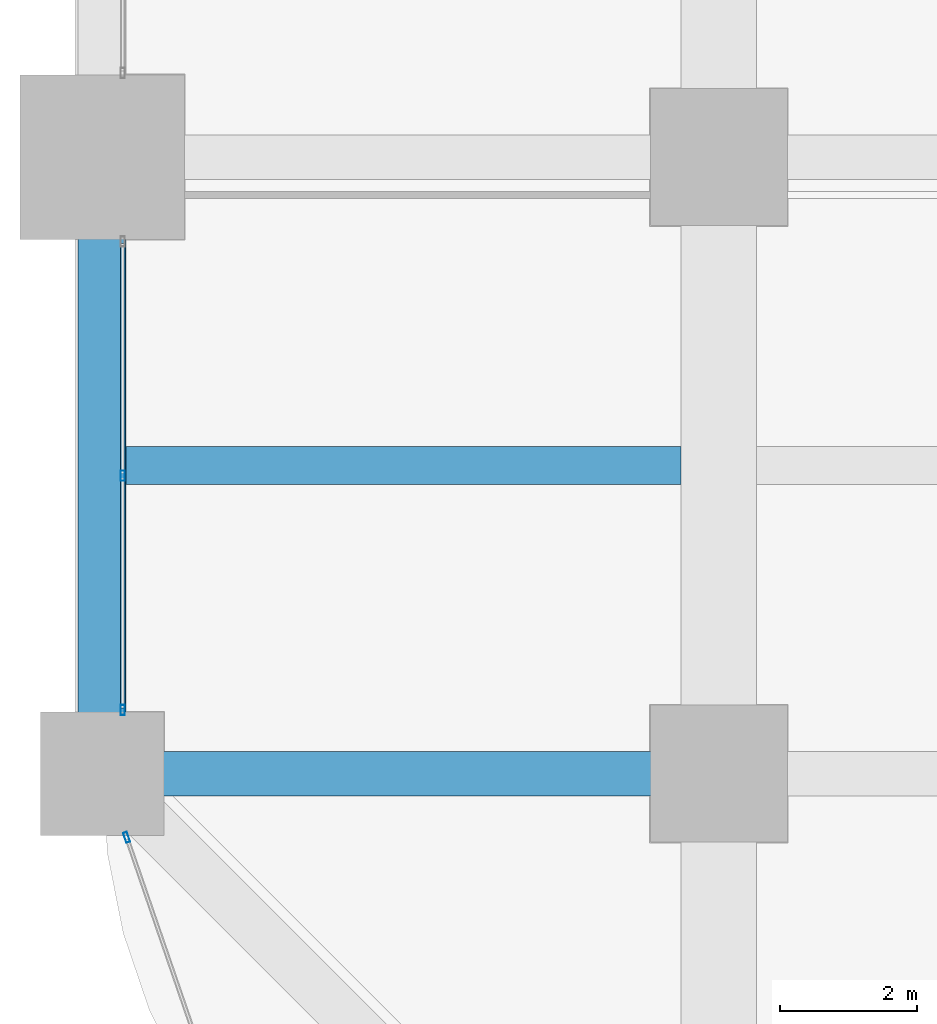
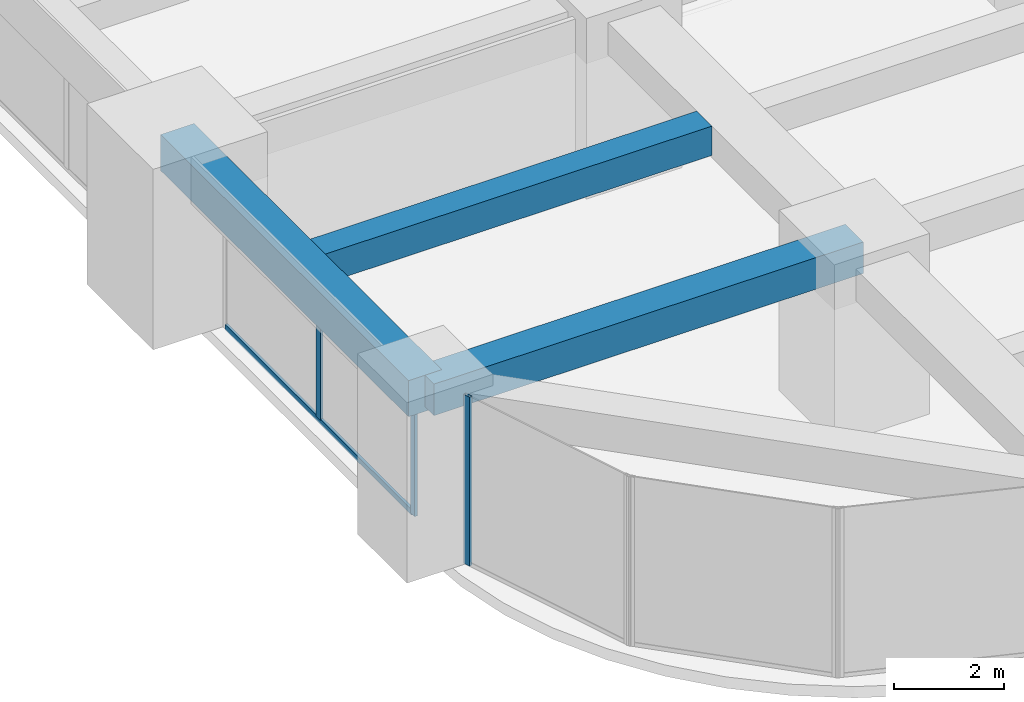
# One storey, part 4 of 39: 4 members, 3 beams, 2 elements without a shape of their own.
"""IFC4 building model written with IfcOpenShell, lengths in metres."""

from ifc_helpers import new_model, si_unit, direction, frame, origin, origin_2d, place, context, subcontext, project, spatial, rectangle, hollow_rectangle, extrude, material, material_profile, profile_set, type_object, element, aggregate, save


model = new_model("IFC4")

# Units and contexts
model_context = context("Model", 3, precision=1e-05, world=origin(), true_north=direction((0.0, 1.0)))
body_context = subcontext(model_context, "Body", "Model", "MODEL_VIEW")
ifc_project = project(units=[si_unit("LENGTHUNIT", "METRE"), si_unit("AREAUNIT", "SQUARE_METRE"), si_unit("VOLUMEUNIT", "CUBIC_METRE"), si_unit("PLANEANGLEUNIT", "RADIAN"), si_unit("MASSUNIT", "GRAM", prefix="KILO")], contexts=[model_context])

# Site, building, storey
site_placement = place(None, origin())
site = spatial("IfcSite", under=ifc_project, at=site_placement, CompositionType="ELEMENT")
building_placement = place(site_placement, origin())
building = spatial("IfcBuilding", under=site, at=building_placement, Name="Zorevar Civic Tower", CompositionType="ELEMENT")
storey_placement = place(building_placement, frame((0.0, 0.0, 121.0)))
storey = spatial("IfcBuildingStorey", under=building, at=storey_placement, Name="L29", CompositionType="ELEMENT", Elevation=121.0)

# Beams
ifc_material_1 = material(Name="Concrete C50/60", Category="concrete")
ifc_material_profile_1 = material_profile(ifc_material_1, rectangle(XDim=0.550048828125, YDim=0.64990234375, at=origin_2d()), Name="RC 550x650")
ifc_profile_set_1 = profile_set([ifc_material_profile_1], Name="Concrete C50/60")
beam_type_1 = type_object("IfcBeamType", Name="Beam RC 550x650", PredefinedType="BEAM", material=ifc_profile_set_1)
beam_1_placement = place(storey_placement, frame((0.35009765625, 13.5, 3.425048828125), z_axis=(1.0, 0.0, 0.0), x_axis=(0.0, 1.0, 0.0)))
element("IfcBeam", 1, at=beam_1_placement, inside=storey, type_object=beam_type_1, Name="Secondary beam L30", PredefinedType="BEAM", context=body_context, shape_type="SweptSolid", body=[
    extrude(rectangle(XDim=0.550048828125, YDim=0.64990234375, at=origin_2d()), origin(), (0.0, 0.0, 1.0), 8.099853515625),
])
ifc_material_2 = material(Name="Concrete C50/60", Category="concrete")
ifc_material_profile_2 = material_profile(ifc_material_2, rectangle(XDim=0.64990234375, YDim=0.699951171875, at=origin_2d()), Name="RC 650x700")
ifc_profile_set_2 = profile_set([ifc_material_profile_2], Name="Concrete C50/60")
beam_type_2 = type_object("IfcBeamType", Name="Beam RC 650x700", PredefinedType="BEAM", material=ifc_profile_set_2)
beam_2_placement = place(storey_placement, frame((0.0, 9.0, 3.39990234375), z_axis=(1.0, 0.0, 0.0), x_axis=(0.0, 1.0, 0.0)))
element("IfcBeam", 2, at=beam_2_placement, inside=storey, type_object=beam_type_2, Name="Girder L30", PredefinedType="BEAM", context=body_context, shape_type="SweptSolid", body=[
    extrude(rectangle(XDim=0.64990234375, YDim=0.699951171875, at=origin_2d()), origin(), (0.0, 0.0, 1.0), 9.0),
])

# Curtain wall, members
ifc_material_3 = material(Name="Dark grey solar-control glass in black aluminium frame", Category="aluminium")
curtain_wall_type = type_object("IfcCurtainWallType", Name="Curtain wall CW3 mid zone", PredefinedType="NOTDEFINED", material=ifc_material_3)
curtain_wall_1_placement = place(storey_placement, origin())
curtain_wall_1 = element("IfcCurtainWall", 3, at=curtain_wall_1_placement, inside=storey, type_object=curtain_wall_type, Name="CW3 L29", PredefinedType="NOTDEFINED")
ifc_material_4 = material(Name="Aluminium, black anodised", Category="aluminium")
ifc_material_profile_3 = material_profile(ifc_material_4, hollow_rectangle(XDim=0.06005859375, YDim=0.14990234375, WallThickness=0.00390625, at=origin_2d()), Name="AL 150x60x4")
ifc_profile_set_3 = profile_set([ifc_material_profile_3], Name="Aluminium, black anodised")
member_type_1 = type_object("IfcMemberType", Name="CW3 mullion AL 150x60x4", PredefinedType="MULLION", material=ifc_profile_set_3)
member_1_placement = place(storey_placement, frame((0.300048828125, 9.929931640625, 0.0), z_axis=(0.0, 0.0, 1.0), x_axis=(-1.0, 0.0, 0.0)))
member_1 = element("IfcMember", 4, at=member_1_placement, type_object=member_type_1, Name="CW3 mullion 1", PredefinedType="MULLION", context=body_context, shape_type="SweptSolid", body=[
    extrude(hollow_rectangle(XDim=0.06005859375, YDim=0.14990234375, WallThickness=0.00390625, at=origin_2d()), origin(), (0.0, 0.0, 1.0), 2.949951171875),
])
member_2_placement = place(storey_placement, frame((0.300048828125, 13.35009765625, 0.06005859375), z_axis=(0.0, 0.0, 1.0), x_axis=(-1.0, 0.0, 0.0)))
member_2 = element("IfcMember", 5, at=member_2_placement, type_object=member_type_1, Name="CW3 mullion 2", PredefinedType="MULLION", context=body_context, shape_type="SweptSolid", body=[
    extrude(hollow_rectangle(XDim=0.06005859375, YDim=0.14990234375, WallThickness=0.00390625, at=origin_2d()), origin(), (0.0, 0.0, 1.0), 2.889892578125),
])

# Curtain wall, member
curtain_wall_2_placement = place(storey_placement, origin())
curtain_wall_2 = element("IfcCurtainWall", 6, at=curtain_wall_2_placement, inside=storey, type_object=curtain_wall_type, Name="CW3 L29", PredefinedType="NOTDEFINED")
member_3_placement = place(storey_placement, frame((0.3564453125, 8.071533203125, 0.0), z_axis=(0.0, 0.0, 1.0), x_axis=(0.945755772794, 0.324878466857, 0.0)))
member_3 = element("IfcMember", 7, at=member_3_placement, type_object=member_type_1, Name="CW3 mullion 1", PredefinedType="MULLION", context=body_context, shape_type="SweptSolid", body=[
    extrude(hollow_rectangle(XDim=0.06005859375, YDim=0.14990234375, WallThickness=0.00390625, at=origin_2d()), origin(), (0.0, 0.0, 1.0), 3.75),
])
aggregate(curtain_wall_2, [member_3])

# Member
ifc_material_5 = material(Name="Aluminium, black anodised", Category="aluminium")
ifc_material_profile_4 = material_profile(ifc_material_5, hollow_rectangle(XDim=0.06005859375, YDim=0.1201171875, WallThickness=0.0029296875, at=origin_2d()), Name="AL 120x60x3")
ifc_profile_set_4 = profile_set([ifc_material_profile_4], Name="Aluminium, black anodised")
member_type_2 = type_object("IfcMemberType", Name="CW3 transom AL 120x60x3", PredefinedType="USERDEFINED", material=ifc_profile_set_4)
member_4_placement = place(storey_placement, frame((0.300048828125, 9.9599609375, 0.030029296875), z_axis=(0.0, 1.0, 0.0), x_axis=(-1.0, 0.0, 0.0)))
member_4 = element("IfcMember", 8, at=member_4_placement, type_object=member_type_2, Name="CW3 sill transom", ObjectType="TRANSOM", PredefinedType="USERDEFINED", context=body_context, shape_type="SweptSolid", body=[
    extrude(hollow_rectangle(XDim=0.06005859375, YDim=0.1201171875, WallThickness=0.0029296875, at=origin_2d()), origin(), (0.0, 0.0, 1.0), 6.780029296875),
])

aggregate(curtain_wall_1, [member_1, member_2, member_4])

# Beam
ifc_material_6 = material(Name="Concrete C50/60", Category="concrete")
ifc_material_profile_5 = material_profile(ifc_material_6, rectangle(XDim=0.699951171875, YDim=0.800048828125, at=origin_2d()), Name="RC 700x800")
ifc_profile_set_5 = profile_set([ifc_material_profile_5], Name="Concrete C50/60")
beam_type_3 = type_object("IfcBeamType", Name="Edge beam RC 700x800", PredefinedType="SPANDREL", material=ifc_profile_set_5)
beam_3_placement = place(storey_placement, frame((0.0, 9.0, 3.35009765625), z_axis=(0.0, 1.0, 0.0), x_axis=(-1.0, 0.0, 0.0)))
element("IfcBeam", 9, at=beam_3_placement, inside=storey, type_object=beam_type_3, Name="Edge beam L30", PredefinedType="SPANDREL", context=body_context, shape_type="SweptSolid", body=[
    extrude(rectangle(XDim=0.699951171875, YDim=0.800048828125, at=origin_2d()), origin(), (0.0, 0.0, 1.0), 9.0),
])

save(model, "model.ifc")
